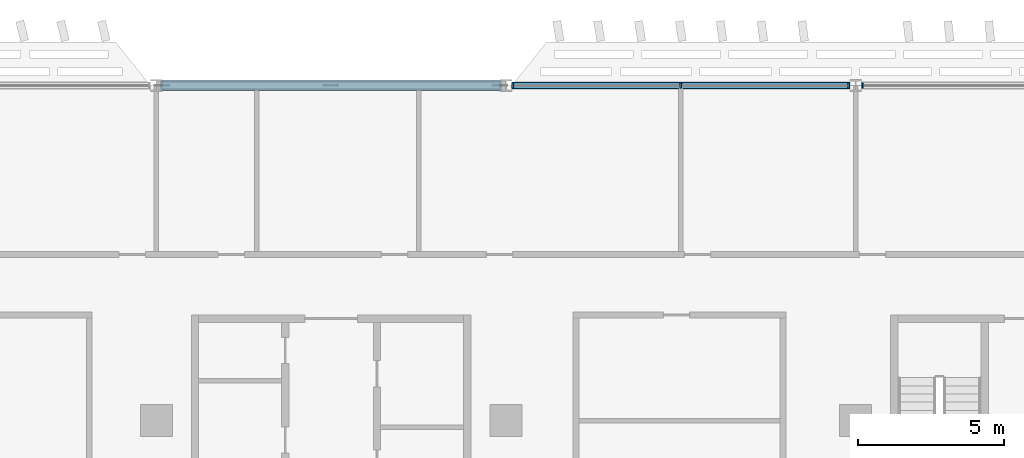
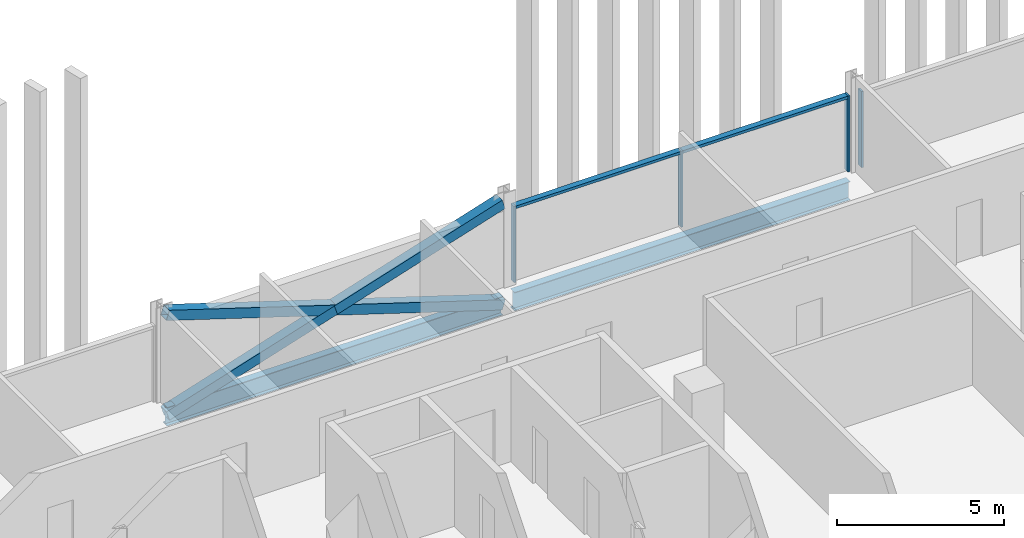
# One storey, part 8 of 30: 9 members, 2 beams, 2 elements without a shape of their own.
"""IFC4 building model written with IfcOpenShell, lengths in metres."""

from ifc_helpers import new_model, si_unit, direction, frame, origin, origin_2d, place, context, subcontext, project, spatial, rectangle, hollow_rectangle, i_section, extrude, material, material_profile, profile_set, type_object, element, aggregate, save


model = new_model("IFC4")

# Units and contexts
model_context = context("Model", 3, precision=1e-05, world=origin(), true_north=direction((0.0, 1.0)))
body_context = subcontext(model_context, "Body", "Model", "MODEL_VIEW")
ifc_project = project(units=[si_unit("LENGTHUNIT", "METRE"), si_unit("AREAUNIT", "SQUARE_METRE"), si_unit("VOLUMEUNIT", "CUBIC_METRE"), si_unit("PLANEANGLEUNIT", "RADIAN"), si_unit("MASSUNIT", "GRAM", prefix="KILO")], contexts=[model_context])

# Site, building, storey
site_placement = place(None, origin())
site = spatial("IfcSite", under=ifc_project, at=site_placement, CompositionType="ELEMENT")
building_placement = place(site_placement, origin())
building = spatial("IfcBuilding", under=site, at=building_placement, Name="Mahtab Terrace Research Tower", CompositionType="ELEMENT")
storey_placement = place(building_placement, frame((0.0, 0.0, 209.10009765625)))
storey = spatial("IfcBuildingStorey", under=building, at=storey_placement, Name="L50", CompositionType="ELEMENT", Elevation=209.10009765625)

# Members
ifc_material_1 = material(Name="Steel ASTM A500 Gr C", Category="steel")
ifc_material_profile_1 = material_profile(ifc_material_1, hollow_rectangle(XDim=0.355712890625, YDim=0.355712890625, WallThickness=0.015869140625, at=origin_2d()), Name="HSS14X14X5/8")
ifc_profile_set_1 = profile_set([ifc_material_profile_1], Name="Steel ASTM A500 Gr C")
member_type_1 = type_object("IfcMemberType", Name="HSS 14x14x5/8 brace XB141458", PredefinedType="BRACE", material=ifc_profile_set_1)
member_1_placement = place(storey_placement, frame((5.79931640625, 23.0, -0.61572265625), z_axis=(-0.953337604941, 0.0, 0.301906295073), x_axis=(0.0, -1.0, 0.0)))
element("IfcMember", 1, at=member_1_placement, inside=storey, type_object=member_type_1, Name="Exoskeleton brace L50 05 a", PredefinedType="BRACE", context=body_context, shape_type="SweptSolid", body=[
    extrude(hollow_rectangle(XDim=0.355712890625, YDim=0.355712890625, WallThickness=0.015869140625, at=origin_2d()), origin(), (0.0, 0.0, 1.0), 12.166259765625),
])
for number, where, z_axis, x_axis, name in (
    (2, (-5.79931640625, 23.0, -0.61572265625), (0.953343380425, 0.0, 0.301888057067), (0.0, 1.0, 0.0), "Exoskeleton brace L50 05 b1"),
    (3, (0.0, 23.0, 1.220703125), (0.953331829178, 0.0, 0.301924532749), (0.0, 1.0, 0.0), "Exoskeleton brace L50 05 b2"),
):
    element("IfcMember", number, at=place(storey_placement, frame(where, z_axis=z_axis, x_axis=x_axis)), inside=storey, type_object=member_type_1, Name=name, PredefinedType="BRACE", context=body_context, shape_type="SweptSolid", body=[
        extrude(hollow_rectangle(XDim=0.355712890625, YDim=0.355712890625, WallThickness=0.015869140625, at=origin_2d()), origin(), (0.0, 0.0, 1.0), 6.083251953125),
    ])

# Curtain wall, member
ifc_material_2 = material(Name="Laboratory ribbon curtain wall")
curtain_wall_type = type_object("IfcCurtainWallType", Name="Laboratory ribbon curtain wall", PredefinedType="NOTDEFINED", material=ifc_material_2)
curtain_wall_1_placement = place(storey_placement, origin())
curtain_wall_1 = element("IfcCurtainWall", 4, at=curtain_wall_1_placement, inside=storey, type_object=curtain_wall_type, Name="EN.L50.3.5", PredefinedType="NOTDEFINED")
ifc_material_3 = material(Name="Natural anodised aluminium", Category="aluminium")
ifc_material_profile_2 = material_profile(ifc_material_3, rectangle(XDim=0.199951171875, YDim=0.06494140625, at=origin_2d()), Name="MULLION 65x200")
ifc_profile_set_2 = profile_set([ifc_material_profile_2], Name="Natural anodised aluminium")
member_type_2 = type_object("IfcMemberType", Name="Laboratory ribbon curtain wall mullion", PredefinedType="MULLION", material=ifc_profile_set_2)
member_2_placement = place(storey_placement, frame((18.232421875, 23.0, 0.0), z_axis=(0.0, 0.0, 1.0), x_axis=(0.0, -1.0, 0.0)))
member_2 = element("IfcMember", 5, at=member_2_placement, type_object=member_type_2, Name="CWL-6 mullion 3", PredefinedType="MULLION", context=body_context, shape_type="SweptSolid", body=[
    extrude(rectangle(XDim=0.199951171875, YDim=0.06494140625, at=origin_2d()), origin(), (0.0, 0.0, 1.0), 2.78173828125),
])
aggregate(curtain_wall_1, [member_2])

# Curtain wall, members
curtain_wall_2_placement = place(storey_placement, origin())
curtain_wall_2 = element("IfcCurtainWall", 6, at=curtain_wall_2_placement, inside=storey, type_object=curtain_wall_type, Name="EN.L50.3.6", PredefinedType="NOTDEFINED")
member_3_placement = place(storey_placement, frame((17.767578125, 23.0, 0.0), z_axis=(0.0, 0.0, 1.0), x_axis=(0.0, -1.0, 0.0)))
member_3 = element("IfcMember", 7, at=member_3_placement, type_object=member_type_2, Name="CWL-6 mullion 1", PredefinedType="MULLION", context=body_context, shape_type="SweptSolid", body=[
    extrude(rectangle(XDim=0.199951171875, YDim=0.06494140625, at=origin_2d()), origin(), (0.0, 0.0, 1.0), 2.78173828125),
])
member_4_placement = place(storey_placement, frame((12.0, 23.0, 0.0), z_axis=(0.0, 0.0, 1.0), x_axis=(0.0, -1.0, 0.0)))
member_4 = element("IfcMember", 8, at=member_4_placement, type_object=member_type_2, Name="CWL-6 mullion 2", PredefinedType="MULLION", context=body_context, shape_type="SweptSolid", body=[
    extrude(rectangle(XDim=0.199951171875, YDim=0.06494140625, at=origin_2d()), origin(), (0.0, 0.0, 1.0), 2.78173828125),
])
member_5_placement = place(storey_placement, frame((6.232421875, 23.0, 0.0), z_axis=(0.0, 0.0, 1.0), x_axis=(0.0, -1.0, 0.0)))
member_5 = element("IfcMember", 9, at=member_5_placement, type_object=member_type_2, Name="CWL-6 mullion 3", PredefinedType="MULLION", context=body_context, shape_type="SweptSolid", body=[
    extrude(rectangle(XDim=0.199951171875, YDim=0.06494140625, at=origin_2d()), origin(), (0.0, 0.0, 1.0), 2.78173828125),
])
ifc_material_profile_3 = material_profile(ifc_material_3, rectangle(XDim=0.199951171875, YDim=0.10009765625, at=origin_2d()), Name="TRANSOM 100x200")
ifc_profile_set_3 = profile_set([ifc_material_profile_3], Name="Natural anodised aluminium")
member_type_3 = type_object("IfcMemberType", Name="Laboratory ribbon curtain wall transom", PredefinedType="USERDEFINED", material=ifc_profile_set_3)
member_6_placement = place(storey_placement, frame((17.735107421875, 23.0, 2.731689453125), z_axis=(-1.0, 0.0, 0.0), x_axis=(0.0, -1.0, 0.0)))
member_6 = element("IfcMember", 10, at=member_6_placement, type_object=member_type_3, Name="CWL-6 transom 1", ObjectType="TRANSOM", PredefinedType="USERDEFINED", context=body_context, shape_type="SweptSolid", body=[
    extrude(rectangle(XDim=0.199951171875, YDim=0.10009765625, at=origin_2d()), origin(), (0.0, 0.0, 1.0), 5.70263671875),
])
member_7_placement = place(storey_placement, frame((11.967529296875, 23.0, 2.731689453125), z_axis=(-1.0, 0.0, 0.0), x_axis=(0.0, -1.0, 0.0)))
member_7 = element("IfcMember", 11, at=member_7_placement, type_object=member_type_3, Name="CWL-6 transom 2", ObjectType="TRANSOM", PredefinedType="USERDEFINED", context=body_context, shape_type="SweptSolid", body=[
    extrude(rectangle(XDim=0.199951171875, YDim=0.10009765625, at=origin_2d()), origin(), (0.0, 0.0, 1.0), 5.70263671875),
])
aggregate(curtain_wall_2, [member_3, member_4, member_5, member_6, member_7])

# Beams
ifc_material_4 = material(Name="Steel ASTM A992 Gr 50", Category="steel")
ifc_material_profile_4 = material_profile(ifc_material_4, i_section(OverallWidth=0.25390625, OverallDepth=0.67822265625, WebThickness=0.01171875, FlangeThickness=0.016357421875, at=origin_2d()), Name="W27X84")
ifc_profile_set_4 = profile_set([ifc_material_profile_4], Name="Steel ASTM A992 Gr 50")
beam_type = type_object("IfcBeamType", Name="W27x84 beam BS2784", PredefinedType="BEAM", material=ifc_profile_set_4)
for number, where, z_axis, x_axis, name in (
    (12, (17.79931640625, 23.0, -0.67919921875), (-1.0, 0.0, 0.0), (0.0, -1.0, 0.0), "Spandrel beam L50 04"),
    (13, (5.79931640625, 23.0, -0.67919921875), (-1.0, 0.0, 0.0), (0.0, -1.0, 0.0), "Spandrel beam L50 05"),
):
    element("IfcBeam", number, at=place(storey_placement, frame(where, z_axis=z_axis, x_axis=x_axis)), inside=storey, type_object=beam_type, Name=name, PredefinedType="BEAM", context=body_context, shape_type="SweptSolid", body=[
        extrude(i_section(OverallWidth=0.25390625, OverallDepth=0.67822265625, WebThickness=0.01171875, FlangeThickness=0.016357421875, at=origin_2d()), origin(), (0.0, 0.0, 1.0), 11.5986328125),
    ])

save(model, "model.ifc")
